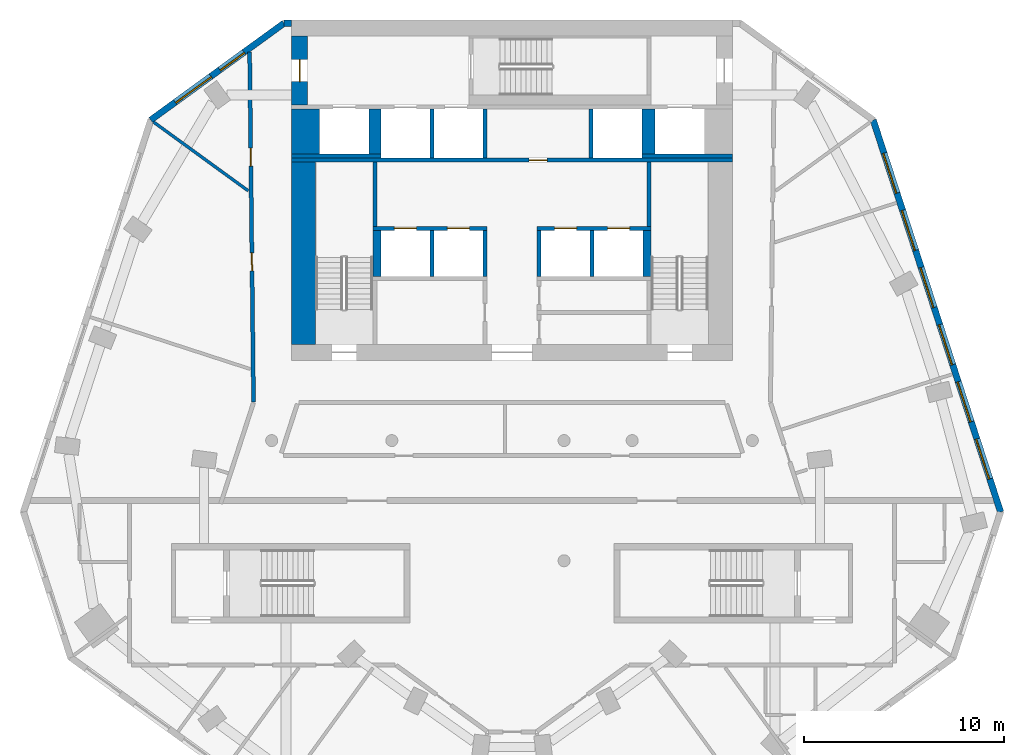
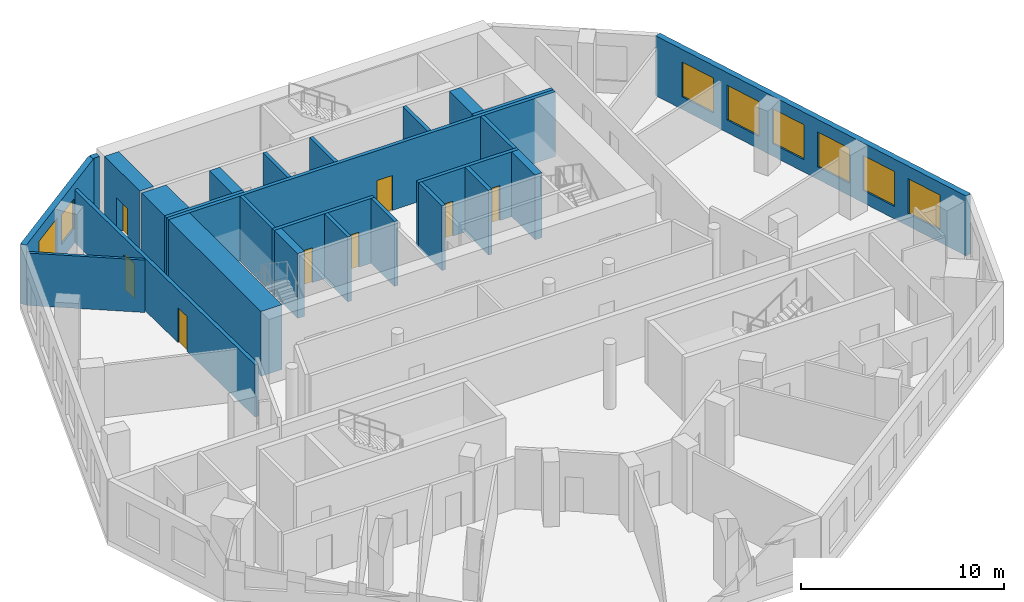
# One storey, part 5 of 9: 26 walls, 8 doors, 8 windows, 16 openings.
"""IFC4 building model written with IfcOpenShell, lengths in metres."""

from ifc_helpers import new_model, si_unit, direction, frame, frame_2d, origin, place, context, subcontext, project, spatial, rectangle, extrude, material, layer, layer_set, type_object, element, fill, save


model = new_model("IFC4")

# Units and contexts
model_context = context("Model", 3, precision=1e-05, world=origin(), true_north=direction((0.0, 1.0)))
body_context = subcontext(model_context, "Body", "Model", "MODEL_VIEW")
ifc_project = project(units=[si_unit("LENGTHUNIT", "METRE"), si_unit("AREAUNIT", "SQUARE_METRE"), si_unit("VOLUMEUNIT", "CUBIC_METRE"), si_unit("PLANEANGLEUNIT", "RADIAN"), si_unit("MASSUNIT", "GRAM", prefix="KILO")], contexts=[model_context])

# Site, building, storey
site_placement = place(None, origin())
site = spatial("IfcSite", under=ifc_project, at=site_placement, CompositionType="ELEMENT")
building_placement = place(site_placement, origin())
building = spatial("IfcBuilding", under=site, at=building_placement, Name="White Candle Pilgrim Tower", CompositionType="ELEMENT")
storey_placement = place(building_placement, frame((0.0, 0.0, 227.699951171875)))
storey = spatial("IfcBuildingStorey", under=building, at=storey_placement, Name="L53", CompositionType="ELEMENT", Elevation=227.699951171875)

# Walls
ifc_material_1 = material(Name="Concrete C50/60", Category="concrete")
ifc_layer_1 = layer(ifc_material_1, 1.39990234375)
ifc_layer_set_1 = layer_set([ifc_layer_1], Name="Core wall 1400 mm Concrete C50/60")
wall_type_1 = type_object("IfcWallType", Name="Core wall 1400 mm Concrete C50/60", PredefinedType="SHEAR", material=ifc_layer_set_1)
wall_1_placement = place(storey_placement, frame((59.699951171875, 81.300048828125, 0.0), z_axis=(0.0, 0.0, 1.0), x_axis=(0.0, 1.0, 0.0)))
element("IfcWall", 1, at=wall_1_placement, inside=storey, type_object=wall_type_1, Name="WL-L53-C39", PredefinedType="SHEAR", context=body_context, shape_type="SweptSolid", body=[
    extrude(rectangle(XDim=2.25, YDim=1.39990234375, at=frame_2d((1.125, 0.0))), origin(), (0.0, 0.0, 1.0), 3.900146484375),
])
ifc_layer_2 = layer(ifc_material_1, 0.199951171875)
ifc_layer_set_2 = layer_set([ifc_layer_2], Name="Core wall 200 mm Concrete C50/60")
wall_type_2 = type_object("IfcWallType", Name="Core wall 200 mm Concrete C50/60", PredefinedType="SHEAR", material=ifc_layer_set_2)
wall_2_placement = place(storey_placement, frame((59.0, 81.199951171875, 0.0), z_axis=(0.0, 0.0, 1.0), x_axis=(1.0, 0.0, 0.0)))
element("IfcWall", 2, at=wall_2_placement, inside=storey, type_object=wall_type_2, Name="WL-L53-C34", PredefinedType="SHEAR", context=body_context, shape_type="SweptSolid", body=[
    extrude(rectangle(XDim=4.449951171875, YDim=0.199951171875, at=frame_2d((2.22509765625, 0.0))), origin(), (0.0, 0.0, 1.0), 3.900146484375),
])
wall_3_placement = place(storey_placement, frame((76.5, 81.199951171875, 0.0), z_axis=(0.0, 0.0, 1.0), x_axis=(1.0, 0.0, 0.0)))
element("IfcWall", 3, at=wall_3_placement, inside=storey, type_object=wall_type_2, Name="WL-L53-C38", PredefinedType="SHEAR", context=body_context, shape_type="SweptSolid", body=[
    extrude(rectangle(XDim=4.5, YDim=0.199951171875, at=frame_2d((2.25, 0.0))), origin(), (0.0, 0.0, 1.0), 3.900146484375),
])

# Wall, opening, door
ifc_layer_3 = layer(ifc_material_1, 0.800048828125)
ifc_layer_set_3 = layer_set([ifc_layer_3], Name="Core wall 800 mm Concrete C50/60")
wall_type_3 = type_object("IfcWallType", Name="Core wall 800 mm Concrete C50/60", PredefinedType="SHEAR", material=ifc_layer_set_3)
wall_4_placement = place(storey_placement, frame((59.39990234375, 83.75, 0.0), z_axis=(0.0, 0.0, 1.0), x_axis=(0.0, 1.0, 0.0)))
wall_4 = element("IfcWall", 4, at=wall_4_placement, inside=storey, type_object=wall_type_3, Name="WL-L53-C44", PredefinedType="SHEAR", context=body_context, shape_type="SweptSolid", body=[
    extrude(rectangle(XDim=3.449951171875, YDim=0.800048828125, at=frame_2d((1.72509765625, 0.0))), origin(), (0.0, 0.0, 1.0), 3.900146484375),
])
opening_1_placement = place(wall_4_placement, frame((1.175048828125, 0.0, 0.0)))
opening_1 = element("IfcOpeningElement", 5, at=opening_1_placement, cuts=wall_4, Name="Opening T16-008", PredefinedType="OPENING", context=body_context, shape_type="SweptSolid", body=[
    extrude(rectangle(XDim=1.10009765625, YDim=2.10009765625, at=frame_2d((0.550048828125, 1.050048828125))), frame((0.0, 0.409912109375, 0.0), z_axis=(0.0, -1.0, 0.0), x_axis=(1.0, 0.0, 0.0)), (0.0, 0.0, 1.0), 0.820068359375),
])
ifc_material_2 = material(Name="Steel door leaf", Category="steel")
door_type_1 = type_object("IfcDoorType", Name="Fire door 1100 x 2100 EI 60", OperationType="NOTDEFINED", PredefinedType="DOOR", material=ifc_material_2)
door_1_placement = place(opening_1_placement, origin())
door_1 = element("IfcDoor", 6, at=door_1_placement, inside=storey, type_object=door_type_1, Name="Door T16-008", OperationType="SINGLE_SWING_RIGHT", OverallHeight=2.10009765625, OverallWidth=1.10009765625, PredefinedType="DOOR", context=body_context, shape_type="SweptSolid", body=[
    extrude(rectangle(XDim=1.10009765625, YDim=2.10009765625, at=frame_2d((0.550048828125, 1.050048828125))), frame((0.0, 0.02490234375, 0.0), z_axis=(0.0, -1.0, 0.0), x_axis=(1.0, 0.0, 0.0)), (0.0, 0.0, 1.0), 0.050048828125),
])
fill(opening_1, door_1)

# Wall, openings, doors
ifc_material_3 = material(Name="Gypsum board on steel studs", Category="steel")
ifc_layer_4 = layer(ifc_material_3, 0.199951171875)
ifc_layer_set_4 = layer_set([ifc_layer_4], Name="Corridor wall 200 mm EI 45")
wall_type_4 = type_object("IfcWallType", Name="Corridor wall 200 mm EI 45", PredefinedType="PARTITIONING", material=ifc_layer_set_4)
wall_5_placement = place(storey_placement, frame((57.094970703125, 68.91650390625, 0.0), z_axis=(0.0, 0.0, 1.0), x_axis=(-0.011158990621, 0.999937736526, 0.0)))
wall_5 = element("IfcWall", 7, at=wall_5_placement, inside=storey, type_object=wall_type_4, Name="WL-L53-P003", PredefinedType="PARTITIONING", context=body_context, shape_type="SweptSolid", body=[
    extrude(rectangle(XDim=17.480712890625, YDim=0.199951171875, at=frame_2d((8.740234375, 0.0))), origin(), (0.0, 0.0, 1.0), 3.150146484375),
])
opening_2_placement = place(wall_5_placement, frame((6.55224609375, 0.0, 0.0)))
opening_2 = element("IfcOpeningElement", 8, at=opening_2_placement, cuts=wall_5, Name="Opening T16-118", PredefinedType="OPENING", context=body_context, shape_type="SweptSolid", body=[
    extrude(rectangle(XDim=0.89990234375, YDim=2.10009765625, at=frame_2d((0.449951171875, 1.050048828125))), frame((0.0, 0.10986328125, 0.0), z_axis=(0.0, -1.0, 0.0), x_axis=(1.0, 0.0, 0.0)), (0.0, 0.0, 1.0), 0.219970703125),
])
opening_3_placement = place(wall_5_placement, frame((11.78662109375, 0.0, 0.0)))
opening_3 = element("IfcOpeningElement", 9, at=opening_3_placement, cuts=wall_5, Name="Opening T16-119", PredefinedType="OPENING", context=body_context, shape_type="SweptSolid", body=[
    extrude(rectangle(XDim=0.89990234375, YDim=2.10009765625, at=frame_2d((0.449951171875, 1.050048828125))), frame((0.0, 0.10986328125, 0.0), z_axis=(0.0, -1.0, 0.0), x_axis=(1.0, 0.0, 0.0)), (0.0, 0.0, 1.0), 0.219970703125),
])
door_type_2 = type_object("IfcDoorType", Name="Fire door 900 x 2100 EI 30", OperationType="NOTDEFINED", PredefinedType="DOOR", material=ifc_material_2)
door_2_placement = place(opening_2_placement, origin())
door_2 = element("IfcDoor", 10, at=door_2_placement, inside=storey, type_object=door_type_2, Name="Door T16-118", OperationType="SINGLE_SWING_RIGHT", OverallHeight=2.10009765625, OverallWidth=0.89990234375, PredefinedType="DOOR", context=body_context, shape_type="SweptSolid", body=[
    extrude(rectangle(XDim=0.89990234375, YDim=2.10009765625, at=frame_2d((0.449951171875, 1.050048828125))), frame((0.0, 0.02490234375, 0.0), z_axis=(0.0, -1.0, 0.0), x_axis=(1.0, 0.0, 0.0)), (0.0, 0.0, 1.0), 0.050048828125),
])
fill(opening_2, door_2)
door_3_placement = place(opening_3_placement, origin())
door_3 = element("IfcDoor", 11, at=door_3_placement, inside=storey, type_object=door_type_2, Name="Door T16-119", OperationType="SINGLE_SWING_LEFT", OverallHeight=2.10009765625, OverallWidth=0.89990234375, PredefinedType="DOOR", context=body_context, shape_type="SweptSolid", body=[
    extrude(rectangle(XDim=0.89990234375, YDim=2.10009765625, at=frame_2d((0.449951171875, 1.050048828125))), frame((0.0, 0.02490234375, 0.0), z_axis=(0.0, -1.0, 0.0), x_axis=(1.0, 0.0, 0.0)), (0.0, 0.0, 1.0), 0.050048828125),
])
fill(opening_3, door_3)

# Wall, openings, windows
ifc_material_4 = material(Name="Precast concrete C40/50", Category="concrete")
ifc_layer_5 = layer(ifc_material_4, 0.320068359375)
ifc_layer_set_5 = layer_set([ifc_layer_5], Name="Facade wall EW1 precast concrete C40/50 pier wall with timber-lined reveals")
wall_type_5 = type_object("IfcWallType", Name="Facade wall EW1 precast concrete C40/50 pier wall with timber-lined reveals", PredefinedType="SOLIDWALL", material=ifc_layer_set_5)
wall_6_placement = place(storey_placement, frame((94.39697265625, 63.431884765625, 0.0), z_axis=(0.0, 0.0, 1.0), x_axis=(-0.309012851328, 0.951057862443, 0.0)))
wall_6 = element("IfcWall", 12, at=wall_6_placement, inside=storey, type_object=wall_type_5, Name="Facade wall L53 ENE", PredefinedType="SOLIDWALL", context=body_context, shape_type="SweptSolid", body=[
    extrude(rectangle(XDim=20.582763671875, YDim=0.320068359375, at=frame_2d((10.29150390625, 0.0))), origin(), (0.0, 0.0, 1.0), 3.60009765625),
])
opening_4_placement = place(wall_6_placement, frame((1.741455078125, 0.0, 0.75)))
opening_4 = element("IfcOpeningElement", 13, at=opening_4_placement, cuts=wall_6, Name="Opening W3", PredefinedType="OPENING", context=body_context, shape_type="SweptSolid", body=[
    extrude(rectangle(XDim=2.10009765625, YDim=2.10009765625, at=frame_2d((1.050048828125, 1.050048828125))), frame((0.0, 0.169921875, 0.0), z_axis=(0.0, -1.0, 0.0), x_axis=(1.0, 0.0, 0.0)), (0.0, 0.0, 1.0), 0.340087890625),
])
opening_5_placement = place(wall_6_placement, frame((4.741455078125, 0.0, 0.75)))
opening_5 = element("IfcOpeningElement", 14, at=opening_5_placement, cuts=wall_6, Name="Opening W3", PredefinedType="OPENING", context=body_context, shape_type="SweptSolid", body=[
    extrude(rectangle(XDim=2.10009765625, YDim=2.10009765625, at=frame_2d((1.050048828125, 1.050048828125))), frame((0.0, 0.169921875, 0.0), z_axis=(0.0, -1.0, 0.0), x_axis=(1.0, 0.0, 0.0)), (0.0, 0.0, 1.0), 0.340087890625),
])
opening_6_placement = place(wall_6_placement, frame((7.741455078125, 0.0, 0.75)))
opening_6 = element("IfcOpeningElement", 15, at=opening_6_placement, cuts=wall_6, Name="Opening W3", PredefinedType="OPENING", context=body_context, shape_type="SweptSolid", body=[
    extrude(rectangle(XDim=2.10009765625, YDim=2.10009765625, at=frame_2d((1.050048828125, 1.050048828125))), frame((0.0, 0.169921875, 0.0), z_axis=(0.0, -1.0, 0.0), x_axis=(1.0, 0.0, 0.0)), (0.0, 0.0, 1.0), 0.340087890625),
])
opening_7_placement = place(wall_6_placement, frame((10.741455078125, 0.0, 0.75)))
opening_7 = element("IfcOpeningElement", 16, at=opening_7_placement, cuts=wall_6, Name="Opening W3", PredefinedType="OPENING", context=body_context, shape_type="SweptSolid", body=[
    extrude(rectangle(XDim=2.10009765625, YDim=2.10009765625, at=frame_2d((1.050048828125, 1.050048828125))), frame((0.0, 0.169921875, 0.0), z_axis=(0.0, -1.0, 0.0), x_axis=(1.0, 0.0, 0.0)), (0.0, 0.0, 1.0), 0.340087890625),
])
opening_8_placement = place(wall_6_placement, frame((13.741455078125, 0.0, 0.75)))
opening_8 = element("IfcOpeningElement", 17, at=opening_8_placement, cuts=wall_6, Name="Opening W3", PredefinedType="OPENING", context=body_context, shape_type="SweptSolid", body=[
    extrude(rectangle(XDim=2.10009765625, YDim=2.10009765625, at=frame_2d((1.050048828125, 1.050048828125))), frame((0.0, 0.169921875, 0.0), z_axis=(0.0, -1.0, 0.0), x_axis=(1.0, 0.0, 0.0)), (0.0, 0.0, 1.0), 0.340087890625),
])
opening_9_placement = place(wall_6_placement, frame((16.741455078125, 0.0, 0.75)))
opening_9 = element("IfcOpeningElement", 18, at=opening_9_placement, cuts=wall_6, Name="Opening W3", PredefinedType="OPENING", context=body_context, shape_type="SweptSolid", body=[
    extrude(rectangle(XDim=2.10009765625, YDim=2.10009765625, at=frame_2d((1.050048828125, 1.050048828125))), frame((0.0, 0.169921875, 0.0), z_axis=(0.0, -1.0, 0.0), x_axis=(1.0, 0.0, 0.0)), (0.0, 0.0, 1.0), 0.340087890625),
])
ifc_material_5 = material(Name="Timber frame with triple glazing", Category="wood")
window_type_1 = type_object("IfcWindowType", Name="Window W3 2100x2100 timber frame triple glazing", PartitioningType="SINGLE_PANEL", PredefinedType="WINDOW", material=ifc_material_5)
window_1_placement = place(opening_4_placement, origin())
window_1 = element("IfcWindow", 19, at=window_1_placement, inside=storey, type_object=window_type_1, Name="Window W3 L53 ENE 1", OverallHeight=2.10009765625, OverallWidth=2.10009765625, PartitioningType="SINGLE_PANEL", PredefinedType="WINDOW", context=body_context, shape_type="SweptSolid", body=[
    extrude(rectangle(XDim=2.10009765625, YDim=2.10009765625, at=frame_2d((1.050048828125, 1.050048828125))), frame((0.0, 0.070068359375, 0.0), z_axis=(0.0, -1.0, 0.0), x_axis=(1.0, 0.0, 0.0)), (0.0, 0.0, 1.0), 0.06005859375),
])
fill(opening_4, window_1)
window_2_placement = place(opening_5_placement, origin())
window_2 = element("IfcWindow", 20, at=window_2_placement, inside=storey, type_object=window_type_1, Name="Window W3 L53 ENE 2", OverallHeight=2.10009765625, OverallWidth=2.10009765625, PartitioningType="SINGLE_PANEL", PredefinedType="WINDOW", context=body_context, shape_type="SweptSolid", body=[
    extrude(rectangle(XDim=2.10009765625, YDim=2.10009765625, at=frame_2d((1.050048828125, 1.050048828125))), frame((0.0, 0.070068359375, 0.0), z_axis=(0.0, -1.0, 0.0), x_axis=(1.0, 0.0, 0.0)), (0.0, 0.0, 1.0), 0.06005859375),
])
fill(opening_5, window_2)
window_3_placement = place(opening_6_placement, origin())
window_3 = element("IfcWindow", 21, at=window_3_placement, inside=storey, type_object=window_type_1, Name="Window W3 L53 ENE 3", OverallHeight=2.10009765625, OverallWidth=2.10009765625, PartitioningType="SINGLE_PANEL", PredefinedType="WINDOW", context=body_context, shape_type="SweptSolid", body=[
    extrude(rectangle(XDim=2.10009765625, YDim=2.10009765625, at=frame_2d((1.050048828125, 1.050048828125))), frame((0.0, 0.070068359375, 0.0), z_axis=(0.0, -1.0, 0.0), x_axis=(1.0, 0.0, 0.0)), (0.0, 0.0, 1.0), 0.06005859375),
])
fill(opening_6, window_3)
window_4_placement = place(opening_7_placement, origin())
window_4 = element("IfcWindow", 22, at=window_4_placement, inside=storey, type_object=window_type_1, Name="Window W3 L53 ENE 4", OverallHeight=2.10009765625, OverallWidth=2.10009765625, PartitioningType="SINGLE_PANEL", PredefinedType="WINDOW", context=body_context, shape_type="SweptSolid", body=[
    extrude(rectangle(XDim=2.10009765625, YDim=2.10009765625, at=frame_2d((1.050048828125, 1.050048828125))), frame((0.0, 0.070068359375, 0.0), z_axis=(0.0, -1.0, 0.0), x_axis=(1.0, 0.0, 0.0)), (0.0, 0.0, 1.0), 0.06005859375),
])
fill(opening_7, window_4)
window_5_placement = place(opening_8_placement, origin())
window_5 = element("IfcWindow", 23, at=window_5_placement, inside=storey, type_object=window_type_1, Name="Window W3 L53 ENE 5", OverallHeight=2.10009765625, OverallWidth=2.10009765625, PartitioningType="SINGLE_PANEL", PredefinedType="WINDOW", context=body_context, shape_type="SweptSolid", body=[
    extrude(rectangle(XDim=2.10009765625, YDim=2.10009765625, at=frame_2d((1.050048828125, 1.050048828125))), frame((0.0, 0.070068359375, 0.0), z_axis=(0.0, -1.0, 0.0), x_axis=(1.0, 0.0, 0.0)), (0.0, 0.0, 1.0), 0.06005859375),
])
fill(opening_8, window_5)
window_6_placement = place(opening_9_placement, origin())
window_6 = element("IfcWindow", 24, at=window_6_placement, inside=storey, type_object=window_type_1, Name="Window W3 L53 ENE 6", OverallHeight=2.10009765625, OverallWidth=2.10009765625, PartitioningType="SINGLE_PANEL", PredefinedType="WINDOW", context=body_context, shape_type="SweptSolid", body=[
    extrude(rectangle(XDim=2.10009765625, YDim=2.10009765625, at=frame_2d((1.050048828125, 1.050048828125))), frame((0.0, 0.070068359375, 0.0), z_axis=(0.0, -1.0, 0.0), x_axis=(1.0, 0.0, 0.0)), (0.0, 0.0, 1.0), 0.06005859375),
])
fill(opening_9, window_6)

# Wall
wall_7_placement = place(storey_placement, frame((59.0, 87.840087890625, 0.0), z_axis=(0.0, 0.0, 1.0), x_axis=(-1.0, 0.0, 0.0)))
element("IfcWall", 25, at=wall_7_placement, inside=storey, type_object=wall_type_5, Name="Facade wall L53 N", PredefinedType="SOLIDWALL", context=body_context, shape_type="SweptSolid", body=[
    extrude(rectangle(XDim=0.385009765625, YDim=0.320068359375, at=frame_2d((0.1923828125, 0.0))), origin(), (0.0, 0.0, 1.0), 3.60009765625),
])

# Wall, openings, windows
wall_8_placement = place(storey_placement, frame((58.614990234375, 87.840087890625, 0.0), z_axis=(0.0, 0.0, 1.0), x_axis=(-0.809012068833, -0.587792031659, 0.0)))
wall_8 = element("IfcWall", 26, at=wall_8_placement, inside=storey, type_object=wall_type_5, Name="Facade wall L53 NW chamfer", PredefinedType="SOLIDWALL", context=body_context, shape_type="SweptSolid", body=[
    extrude(rectangle(XDim=8.221923828125, YDim=0.320068359375, at=frame_2d((4.11083984375, 0.0))), origin(), (0.0, 0.0, 1.0), 3.60009765625),
])
opening_10_placement = place(wall_8_placement, frame((2.459716796875, 0.0, 0.89990234375)))
opening_10 = element("IfcOpeningElement", 27, at=opening_10_placement, cuts=wall_8, Name="Opening W1", PredefinedType="OPENING", context=body_context, shape_type="SweptSolid", body=[
    extrude(rectangle(XDim=1.5, YDim=1.800048828125, at=frame_2d((0.75, 0.89990234375))), frame((0.0, 0.169921875, 0.0), z_axis=(0.0, -1.0, 0.0), x_axis=(1.0, 0.0, 0.0)), (0.0, 0.0, 1.0), 0.340087890625),
])
opening_11_placement = place(wall_8_placement, frame((4.510986328125, 0.0, 0.75)))
opening_11 = element("IfcOpeningElement", 28, at=opening_11_placement, cuts=wall_8, Name="Opening W4", PredefinedType="OPENING", context=body_context, shape_type="SweptSolid", body=[
    extrude(rectangle(XDim=2.199951171875, YDim=2.10009765625, at=frame_2d((1.10009765625, 1.050048828125))), frame((0.0, 0.169921875, 0.0), z_axis=(0.0, -1.0, 0.0), x_axis=(1.0, 0.0, 0.0)), (0.0, 0.0, 1.0), 0.340087890625),
])
window_type_2 = type_object("IfcWindowType", Name="Window W1 1500x1800 timber frame triple glazing", PartitioningType="SINGLE_PANEL", PredefinedType="WINDOW", material=ifc_material_5)
window_7_placement = place(opening_10_placement, origin())
window_7 = element("IfcWindow", 29, at=window_7_placement, inside=storey, type_object=window_type_2, Name="Window W1 L53 NW chamfer 1", OverallHeight=1.800048828125, OverallWidth=1.5, PartitioningType="SINGLE_PANEL", PredefinedType="WINDOW", context=body_context, shape_type="SweptSolid", body=[
    extrude(rectangle(XDim=1.5, YDim=1.800048828125, at=frame_2d((0.75, 0.89990234375))), frame((0.0, 0.070068359375, 0.0), z_axis=(0.0, -1.0, 0.0), x_axis=(1.0, 0.0, 0.0)), (0.0, 0.0, 1.0), 0.06005859375),
])
fill(opening_10, window_7)
window_type_3 = type_object("IfcWindowType", Name="Window W4 2200x2100 timber frame triple glazing", PartitioningType="SINGLE_PANEL", PredefinedType="WINDOW", material=ifc_material_5)
window_8_placement = place(opening_11_placement, origin())
window_8 = element("IfcWindow", 30, at=window_8_placement, inside=storey, type_object=window_type_3, Name="Window W4 L53 NW chamfer 2", OverallHeight=2.10009765625, OverallWidth=2.199951171875, PartitioningType="SINGLE_PANEL", PredefinedType="WINDOW", context=body_context, shape_type="SweptSolid", body=[
    extrude(rectangle(XDim=2.199951171875, YDim=2.10009765625, at=frame_2d((1.10009765625, 1.050048828125))), frame((0.0, 0.070068359375, 0.0), z_axis=(0.0, -1.0, 0.0), x_axis=(1.0, 0.0, 0.0)), (0.0, 0.0, 1.0), 0.06005859375),
])
fill(opening_11, window_8)

# Walls
ifc_layer_6 = layer(ifc_material_3, 0.14990234375)
ifc_layer_set_6 = layer_set([ifc_layer_6], Name="Partition 150 mm EI 60")
wall_type_6 = type_object("IfcWallType", Name="Partition 150 mm EI 60", PredefinedType="PARTITIONING", material=ifc_layer_set_6)
wall_9_placement = place(storey_placement, frame((52.099609375, 82.908447265625, 0.0), z_axis=(0.0, 0.0, 1.0), x_axis=(0.80901210161, -0.587791986546, 0.0)))
element("IfcWall", 31, at=wall_9_placement, inside=storey, type_object=wall_type_6, Name="WL-L53-P017", PredefinedType="PARTITIONING", context=body_context, shape_type="SweptSolid", body=[
    extrude(rectangle(XDim=5.850341796875, YDim=0.14990234375, at=frame_2d((2.92529296875, 0.0))), origin(), (0.0, 0.0, 1.0), 3.150146484375),
])
ifc_layer_7 = layer(ifc_material_1, 0.199951171875)
ifc_layer_set_7 = layer_set([ifc_layer_7], Name="Shaft wall 200 mm Concrete C50/60")
wall_type_7 = type_object("IfcWallType", Name="Shaft wall 200 mm Concrete C50/60", PredefinedType="SHEAR", material=ifc_layer_set_7)
for number, where, z_axis, x_axis, name in (
    (32, (66.0, 75.199951171875, 0.0), (0.0, 0.0, 1.0), (0.0, 1.0, 0.0), "WL-L53-C24"),
    (33, (68.64990234375, 75.199951171875, 0.0), (0.0, 0.0, 1.0), (0.0, 1.0, 0.0), "WL-L53-C25"),
    (34, (71.35009765625, 75.199951171875, 0.0), (0.0, 0.0, 1.0), (0.0, 1.0, 0.0), "WL-L53-C26"),
    (35, (74.0, 75.199951171875, 0.0), (0.0, 0.0, 1.0), (0.0, 1.0, 0.0), "WL-L53-C27"),
):
    element("IfcWall", number, at=place(storey_placement, frame(where, z_axis=z_axis, x_axis=x_axis)), inside=storey, type_object=wall_type_7, Name=name, PredefinedType="SHEAR", context=body_context, shape_type="SweptSolid", body=[
        extrude(rectangle(XDim=2.300048828125, YDim=0.199951171875, at=frame_2d((1.14990234375, 0.0))), origin(), (0.0, 0.0, 1.0), 3.900146484375),
    ])
for number, where, z_axis, x_axis, name in (
    (36, (66.0, 81.10009765625, 0.0), (0.0, 0.0, 1.0), (0.0, 1.0, 0.0), "WL-L53-C35"),
    (37, (68.64990234375, 81.10009765625, 0.0), (0.0, 0.0, 1.0), (0.0, 1.0, 0.0), "WL-L53-C36"),
    (38, (73.949951171875, 81.10009765625, 0.0), (0.0, 0.0, 1.0), (0.0, 1.0, 0.0), "WL-L53-C37"),
):
    element("IfcWall", number, at=place(storey_placement, frame(where, z_axis=z_axis, x_axis=x_axis)), inside=storey, type_object=wall_type_7, Name=name, PredefinedType="SHEAR", context=body_context, shape_type="SweptSolid", body=[
        extrude(rectangle(XDim=2.449951171875, YDim=0.199951171875, at=frame_2d((1.22509765625, 0.0))), origin(), (0.0, 0.0, 1.0), 3.900146484375),
    ])
ifc_layer_8 = layer(ifc_material_1, 0.60009765625)
ifc_layer_set_8 = layer_set([ifc_layer_8], Name="Shaft wall 600 mm Concrete C50/60")
wall_type_8 = type_object("IfcWallType", Name="Shaft wall 600 mm Concrete C50/60", PredefinedType="SHEAR", material=ifc_layer_set_8)
wall_10_placement = place(storey_placement, frame((63.14990234375, 81.300048828125, 0.0), z_axis=(0.0, 0.0, 1.0), x_axis=(0.0, 1.0, 0.0)))
element("IfcWall", 39, at=wall_10_placement, inside=storey, type_object=wall_type_8, Name="WL-L53-C40", PredefinedType="SHEAR", context=body_context, shape_type="SweptSolid", body=[
    extrude(rectangle(XDim=2.25, YDim=0.60009765625, at=frame_2d((1.125, 0.0))), origin(), (0.0, 0.0, 1.0), 3.900146484375),
])
ifc_layer_9 = layer(ifc_material_1, 0.64990234375)
ifc_layer_set_9 = layer_set([ifc_layer_9], Name="Shaft wall 650 mm Concrete C50/60")
wall_type_9 = type_object("IfcWallType", Name="Shaft wall 650 mm Concrete C50/60", PredefinedType="SHEAR", material=ifc_layer_set_9)
wall_11_placement = place(storey_placement, frame((76.824951171875, 81.300048828125, 0.0), z_axis=(0.0, 0.0, 1.0), x_axis=(0.0, 1.0, 0.0)))
element("IfcWall", 40, at=wall_11_placement, inside=storey, type_object=wall_type_9, Name="WL-L53-C41", PredefinedType="SHEAR", context=body_context, shape_type="SweptSolid", body=[
    extrude(rectangle(XDim=2.25, YDim=0.64990234375, at=frame_2d((1.125, 0.0))), origin(), (0.0, 0.0, 1.0), 3.900146484375),
])
ifc_layer_10 = layer(ifc_material_1, 1.199951171875)
ifc_layer_set_10 = layer_set([ifc_layer_10], Name="Stair shaft wall 1200 mm Concrete C50/60")
wall_type_10 = type_object("IfcWallType", Name="Stair shaft wall 1200 mm Concrete C50/60", PredefinedType="SHEAR", material=ifc_layer_set_10)
wall_12_placement = place(storey_placement, frame((59.60009765625, 71.800048828125, 0.0), z_axis=(0.0, 0.0, 1.0), x_axis=(0.0, 1.0, 0.0)))
element("IfcWall", 41, at=wall_12_placement, inside=storey, type_object=wall_type_10, Name="WL-L53-C12", PredefinedType="SHEAR", context=body_context, shape_type="SweptSolid", body=[
    extrude(rectangle(XDim=9.099853515625, YDim=1.199951171875, at=frame_2d((4.5498046875, 0.0))), origin(), (0.0, 0.0, 1.0), 3.900146484375),
])

# Wall, openings, doors
ifc_layer_11 = layer(ifc_material_1, 0.199951171875)
ifc_layer_set_11 = layer_set([ifc_layer_11], Name="Stair shaft wall 200 mm Concrete C50/60")
wall_type_11 = type_object("IfcWallType", Name="Stair shaft wall 200 mm Concrete C50/60", PredefinedType="SHEAR", material=ifc_layer_set_11)
wall_13_placement = place(storey_placement, frame((63.050048828125, 77.60009765625, 0.0), z_axis=(0.0, 0.0, 1.0), x_axis=(1.0, 0.0, 0.0)))
wall_13 = element("IfcWall", 42, at=wall_13_placement, inside=storey, type_object=wall_type_11, Name="WL-L53-C29", PredefinedType="SHEAR", context=body_context, shape_type="SweptSolid", body=[
    extrude(rectangle(XDim=5.699951171875, YDim=0.199951171875, at=frame_2d((2.85009765625, 0.0))), origin(), (0.0, 0.0, 1.0), 3.900146484375),
])
opening_12_placement = place(wall_13_placement, frame((1.074951171875, 0.0, 0.0)))
opening_12 = element("IfcOpeningElement", 43, at=opening_12_placement, cuts=wall_13, Name="Opening T16-014", PredefinedType="OPENING", context=body_context, shape_type="SweptSolid", body=[
    extrude(rectangle(XDim=1.10009765625, YDim=2.10009765625, at=frame_2d((0.550048828125, 1.050048828125))), frame((0.0, 0.10986328125, 0.0), z_axis=(0.0, -1.0, 0.0), x_axis=(1.0, 0.0, 0.0)), (0.0, 0.0, 1.0), 0.219970703125),
])
opening_13_placement = place(wall_13_placement, frame((3.72509765625, 0.0, 0.0)))
opening_13 = element("IfcOpeningElement", 44, at=opening_13_placement, cuts=wall_13, Name="Opening T16-015", PredefinedType="OPENING", context=body_context, shape_type="SweptSolid", body=[
    extrude(rectangle(XDim=1.10009765625, YDim=2.10009765625, at=frame_2d((0.550048828125, 1.050048828125))), frame((0.0, 0.10986328125, 0.0), z_axis=(0.0, -1.0, 0.0), x_axis=(1.0, 0.0, 0.0)), (0.0, 0.0, 1.0), 0.219970703125),
])
ifc_material_6 = material(Name="Stainless steel", Category="steel")
door_type_3 = type_object("IfcDoorType", Name="Lift landing door 1100 x 2100 E 60", OperationType="DOUBLE_DOOR_SLIDING", PredefinedType="DOOR", material=ifc_material_6)
door_4_placement = place(opening_12_placement, origin())
door_4 = element("IfcDoor", 45, at=door_4_placement, inside=storey, type_object=door_type_3, Name="Door T16-014", OperationType="DOUBLE_DOOR_SLIDING", OverallHeight=2.10009765625, OverallWidth=1.10009765625, PredefinedType="DOOR", context=body_context, shape_type="SweptSolid", body=[
    extrude(rectangle(XDim=1.10009765625, YDim=2.10009765625, at=frame_2d((0.550048828125, 1.050048828125))), frame((0.0, 0.02490234375, 0.0), z_axis=(0.0, -1.0, 0.0), x_axis=(1.0, 0.0, 0.0)), (0.0, 0.0, 1.0), 0.050048828125),
])
fill(opening_12, door_4)
door_5_placement = place(opening_13_placement, origin())
door_5 = element("IfcDoor", 46, at=door_5_placement, inside=storey, type_object=door_type_3, Name="Door T16-015", OperationType="DOUBLE_DOOR_SLIDING", OverallHeight=2.10009765625, OverallWidth=1.10009765625, PredefinedType="DOOR", context=body_context, shape_type="SweptSolid", body=[
    extrude(rectangle(XDim=1.10009765625, YDim=2.10009765625, at=frame_2d((0.550048828125, 1.050048828125))), frame((0.0, 0.02490234375, 0.0), z_axis=(0.0, -1.0, 0.0), x_axis=(1.0, 0.0, 0.0)), (0.0, 0.0, 1.0), 0.050048828125),
])
fill(opening_13, door_5)

wall_14_placement = place(storey_placement, frame((71.25, 77.60009765625, 0.0), z_axis=(0.0, 0.0, 1.0), x_axis=(1.0, 0.0, 0.0)))
wall_14 = element("IfcWall", 47, at=wall_14_placement, inside=storey, type_object=wall_type_11, Name="WL-L53-C30", PredefinedType="SHEAR", context=body_context, shape_type="SweptSolid", body=[
    extrude(rectangle(XDim=5.699951171875, YDim=0.199951171875, at=frame_2d((2.85009765625, 0.0))), origin(), (0.0, 0.0, 1.0), 3.900146484375),
])
opening_14_placement = place(wall_14_placement, frame((0.875, 0.0, 0.0)))
opening_14 = element("IfcOpeningElement", 48, at=opening_14_placement, cuts=wall_14, Name="Opening T16-016", PredefinedType="OPENING", context=body_context, shape_type="SweptSolid", body=[
    extrude(rectangle(XDim=1.10009765625, YDim=2.10009765625, at=frame_2d((0.550048828125, 1.050048828125))), frame((0.0, 0.10986328125, 0.0), z_axis=(0.0, -1.0, 0.0), x_axis=(1.0, 0.0, 0.0)), (0.0, 0.0, 1.0), 0.219970703125),
])
opening_15_placement = place(wall_14_placement, frame((3.52490234375, 0.0, 0.0)))
opening_15 = element("IfcOpeningElement", 49, at=opening_15_placement, cuts=wall_14, Name="Opening T16-017", PredefinedType="OPENING", context=body_context, shape_type="SweptSolid", body=[
    extrude(rectangle(XDim=1.10009765625, YDim=2.10009765625, at=frame_2d((0.550048828125, 1.050048828125))), frame((0.0, 0.10986328125, 0.0), z_axis=(0.0, -1.0, 0.0), x_axis=(1.0, 0.0, 0.0)), (0.0, 0.0, 1.0), 0.219970703125),
])
door_6_placement = place(opening_14_placement, origin())
door_6 = element("IfcDoor", 50, at=door_6_placement, inside=storey, type_object=door_type_3, Name="Door T16-016", OperationType="DOUBLE_DOOR_SLIDING", OverallHeight=2.10009765625, OverallWidth=1.10009765625, PredefinedType="DOOR", context=body_context, shape_type="SweptSolid", body=[
    extrude(rectangle(XDim=1.10009765625, YDim=2.10009765625, at=frame_2d((0.550048828125, 1.050048828125))), frame((0.0, 0.02490234375, 0.0), z_axis=(0.0, -1.0, 0.0), x_axis=(1.0, 0.0, 0.0)), (0.0, 0.0, 1.0), 0.050048828125),
])
fill(opening_14, door_6)
door_7_placement = place(opening_15_placement, origin())
door_7 = element("IfcDoor", 51, at=door_7_placement, inside=storey, type_object=door_type_3, Name="Door T16-017", OperationType="DOUBLE_DOOR_SLIDING", OverallHeight=2.10009765625, OverallWidth=1.10009765625, PredefinedType="DOOR", context=body_context, shape_type="SweptSolid", body=[
    extrude(rectangle(XDim=1.10009765625, YDim=2.10009765625, at=frame_2d((0.550048828125, 1.050048828125))), frame((0.0, 0.02490234375, 0.0), z_axis=(0.0, -1.0, 0.0), x_axis=(1.0, 0.0, 0.0)), (0.0, 0.0, 1.0), 0.050048828125),
])
fill(opening_15, door_7)

# Walls
for number, where, z_axis, x_axis, name in (
    (52, (63.14990234375, 77.699951171875, 0.0), (0.0, 0.0, 1.0), (0.0, 1.0, 0.0), "WL-L53-C31"),
    (53, (76.85009765625, 77.699951171875, 0.0), (0.0, 0.0, 1.0), (0.0, 1.0, 0.0), "WL-L53-C32"),
):
    element("IfcWall", number, at=place(storey_placement, frame(where, z_axis=z_axis, x_axis=x_axis)), inside=storey, type_object=wall_type_11, Name=name, PredefinedType="SHEAR", context=body_context, shape_type="SweptSolid", body=[
        extrude(rectangle(XDim=3.199951171875, YDim=0.199951171875, at=frame_2d((1.60009765625, 0.0))), origin(), (0.0, 0.0, 1.0), 3.900146484375),
    ])

# Wall, opening, door
wall_15_placement = place(storey_placement, frame((59.0, 81.0, 0.0), z_axis=(0.0, 0.0, 1.0), x_axis=(1.0, 0.0, 0.0)))
wall_15 = element("IfcWall", 54, at=wall_15_placement, inside=storey, type_object=wall_type_11, Name="WL-L53-C33", PredefinedType="SHEAR", context=body_context, shape_type="SweptSolid", body=[
    extrude(rectangle(XDim=22.0, YDim=0.199951171875, at=frame_2d((11.0, 0.0))), origin(), (0.0, 0.0, 1.0), 3.900146484375),
])
opening_16_placement = place(wall_15_placement, frame((11.85009765625, 0.0, 0.0)))
opening_16 = element("IfcOpeningElement", 55, at=opening_16_placement, cuts=wall_15, Name="Opening T16-022", PredefinedType="OPENING", context=body_context, shape_type="SweptSolid", body=[
    extrude(rectangle(XDim=0.89990234375, YDim=2.10009765625, at=frame_2d((0.449951171875, 1.050048828125))), frame((0.0, 0.10986328125, 0.0), z_axis=(0.0, -1.0, 0.0), x_axis=(1.0, 0.0, 0.0)), (0.0, 0.0, 1.0), 0.219970703125),
])
door_8_placement = place(opening_16_placement, origin())
door_8 = element("IfcDoor", 56, at=door_8_placement, inside=storey, type_object=door_type_2, Name="Door T16-022", OperationType="SINGLE_SWING_RIGHT", OverallHeight=2.10009765625, OverallWidth=0.89990234375, PredefinedType="DOOR", context=body_context, shape_type="SweptSolid", body=[
    extrude(rectangle(XDim=0.89990234375, YDim=2.10009765625, at=frame_2d((0.449951171875, 1.050048828125))), frame((0.0, 0.02490234375, 0.0), z_axis=(0.0, -1.0, 0.0), x_axis=(1.0, 0.0, 0.0)), (0.0, 0.0, 1.0), 0.050048828125),
])
fill(opening_16, door_8)

# Walls
ifc_layer_12 = layer(ifc_material_1, 0.39990234375)
ifc_layer_set_12 = layer_set([ifc_layer_12], Name="Stair shaft wall 400 mm Concrete C50/60")
wall_type_12 = type_object("IfcWallType", Name="Stair shaft wall 400 mm Concrete C50/60", PredefinedType="SHEAR", material=ifc_layer_set_12)
for number, where, z_axis, x_axis, name in (
    (57, (63.25, 75.199951171875, 0.0), (0.0, 0.0, 1.0), (0.0, 1.0, 0.0), "WL-L53-C23"),
    (58, (76.75, 75.199951171875, 0.0), (0.0, 0.0, 1.0), (0.0, 1.0, 0.0), "WL-L53-C28"),
):
    element("IfcWall", number, at=place(storey_placement, frame(where, z_axis=z_axis, x_axis=x_axis)), inside=storey, type_object=wall_type_12, Name=name, PredefinedType="SHEAR", context=body_context, shape_type="SweptSolid", body=[
        extrude(rectangle(XDim=2.300048828125, YDim=0.39990234375, at=frame_2d((1.14990234375, 0.0))), origin(), (0.0, 0.0, 1.0), 3.900146484375),
    ])

save(model, "model.ifc")
